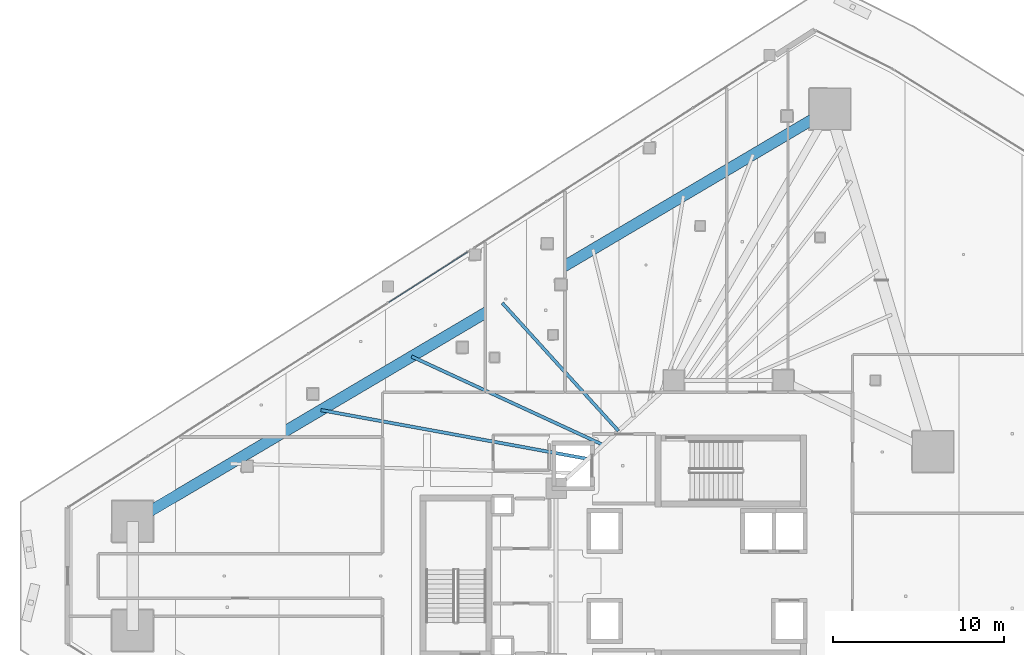
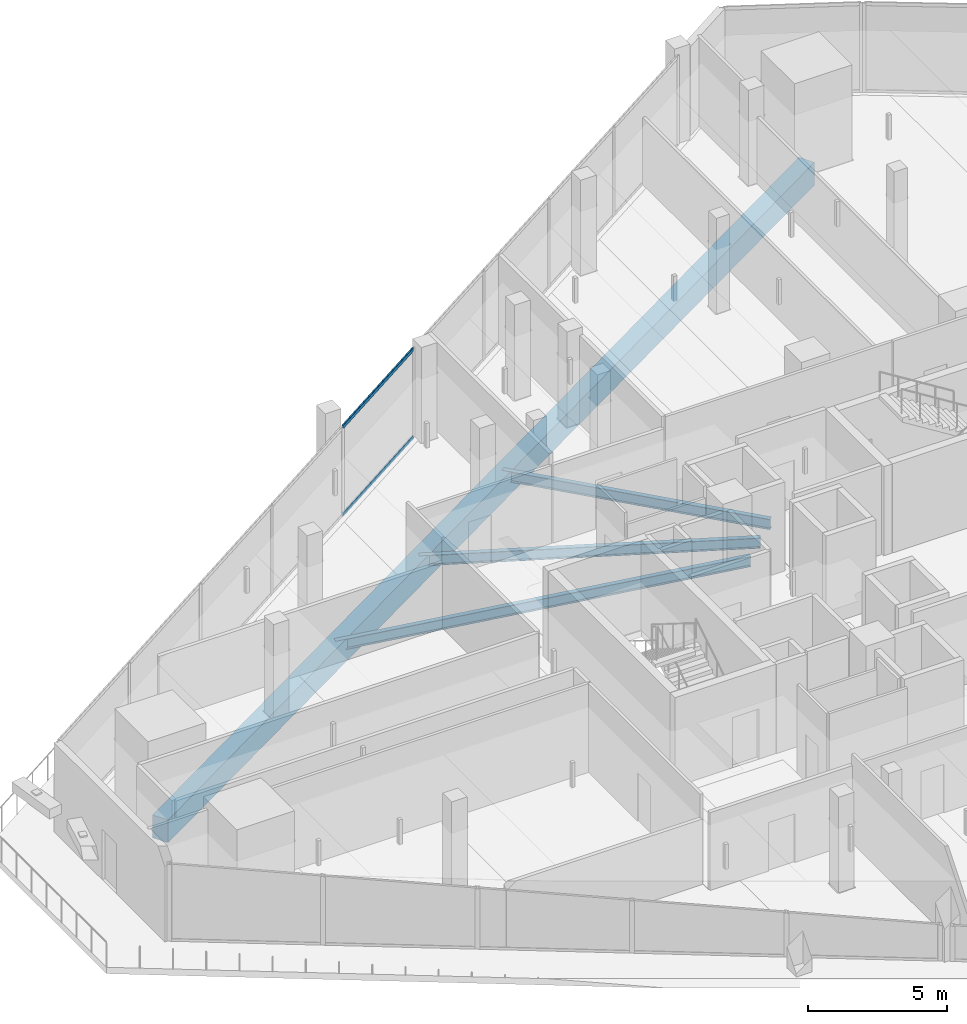
# One storey, part 17 of 46: 4 beams, 2 members, 1 element without a shape of its own.
"""IFC4 building model written with IfcOpenShell, lengths in metres."""

from ifc_helpers import new_model, si_unit, direction, frame, origin, origin_2d, place, context, subcontext, project, spatial, rectangle, hollow_rectangle, i_section, extrude, material, layer, layer_set, material_profile, profile_set, type_object, element, aggregate, save


model = new_model("IFC4")

# Units and contexts
model_context = context("Model", 3, precision=1e-05, world=origin(), true_north=direction((0.0, 1.0)))
body_context = subcontext(model_context, "Body", "Model", "MODEL_VIEW")
ifc_project = project(units=[si_unit("LENGTHUNIT", "METRE"), si_unit("AREAUNIT", "SQUARE_METRE"), si_unit("VOLUMEUNIT", "CUBIC_METRE"), si_unit("PLANEANGLEUNIT", "RADIAN"), si_unit("MASSUNIT", "GRAM", prefix="KILO")], contexts=[model_context])

# Site, building, storey
site_placement = place(None, origin())
site = spatial("IfcSite", under=ifc_project, at=site_placement, CompositionType="ELEMENT")
building_placement = place(site_placement, origin())
building = spatial("IfcBuilding", under=site, at=building_placement, Name="Qorvath Tower", CompositionType="ELEMENT")
storey_placement = place(building_placement, frame((0.0, 0.0, 87.0)))
storey = spatial("IfcBuildingStorey", under=building, at=storey_placement, Name="L19", CompositionType="ELEMENT", Elevation=87.0)

# Beams
ifc_material_1 = material(Name="Steel ASTM A992 Grade 50", Category="steel")
ifc_material_profile_1 = material_profile(ifc_material_1, i_section(OverallWidth=0.18994140625, OverallDepth=0.45703125, WebThickness=0.009033203125, FlangeThickness=0.014404296875, FilletRadius=0.011962890625, at=origin_2d()), Name="W18x50")
ifc_profile_set_1 = profile_set([ifc_material_profile_1], Name="Steel ASTM A992 Grade 50")
beam_type_1 = type_object("IfcBeamType", Name="BM-FJ2", PredefinedType="JOIST", material=ifc_profile_set_1)
beam_1_placement = place(storey_placement, frame((-28.636962890625, 6.85107421875, -0.508544921875), z_axis=(-0.983656498786, 0.180055248176, 0.0), x_axis=(-0.180055248176, -0.983656498786, 0.0)))
element("IfcBeam", 1, at=beam_1_placement, inside=storey, type_object=beam_type_1, Name="Composite Floor Joist NW2 L19", PredefinedType="JOIST", context=body_context, shape_type="SweptSolid", body=[
    extrude(i_section(OverallWidth=0.18994140625, OverallDepth=0.45703125, WebThickness=0.009033203125, FlangeThickness=0.014404296875, FilletRadius=0.011962890625, at=origin_2d()), origin(), (0.0, 0.0, 1.0), 15.884521484375),
])
beam_2_placement = place(storey_placement, frame((-27.739990234375, 7.669921875, -0.508544921875), z_axis=(-0.907881281747, 0.419227358665, 0.0), x_axis=(-0.419227358665, -0.907881281747, 0.0)))
element("IfcBeam", 2, at=beam_2_placement, inside=storey, type_object=beam_type_1, Name="Composite Floor Joist NW3 L19", PredefinedType="JOIST", context=body_context, shape_type="SweptSolid", body=[
    extrude(i_section(OverallWidth=0.18994140625, OverallDepth=0.45703125, WebThickness=0.009033203125, FlangeThickness=0.014404296875, FilletRadius=0.011962890625, at=origin_2d()), origin(), (0.0, 0.0, 1.0), 12.353515625),
])
beam_3_placement = place(storey_placement, frame((-26.843017578125, 8.489013671875, -0.508544921875), z_axis=(-0.672128980215, 0.740434084815, 0.0), x_axis=(-0.740434084815, -0.672128980215, 0.0)))
element("IfcBeam", 3, at=beam_3_placement, inside=storey, type_object=beam_type_1, Name="Composite Floor Joist NW4 L19", PredefinedType="JOIST", context=body_context, shape_type="SweptSolid", body=[
    extrude(i_section(OverallWidth=0.18994140625, OverallDepth=0.45703125, WebThickness=0.009033203125, FlangeThickness=0.014404296875, FilletRadius=0.011962890625, at=origin_2d()), origin(), (0.0, 0.0, 1.0), 10.1259765625),
])
ifc_material_2 = material(Name="Concrete C50/60", Category="concrete")
ifc_material_profile_2 = material_profile(ifc_material_2, rectangle(XDim=0.64990234375, YDim=1.0, at=origin_2d()), Name="RCB 1000x650")
ifc_profile_set_2 = profile_set([ifc_material_profile_2], Name="Concrete C50/60")
beam_type_2 = type_object("IfcBeamType", Name="BM-RCB1", PredefinedType="SPANDREL", material=ifc_profile_set_2)
beam_4_placement = place(storey_placement, frame((-14.46435546875, 27.330810546875, -0.780029296875), z_axis=(-0.860777360917, -0.508981664633, 0.0), x_axis=(0.508981664633, -0.860777360917, 0.0)))
element("IfcBeam", 4, at=beam_4_placement, inside=storey, type_object=beam_type_2, Name="Perimeter Loggia Frame Beam MC6-MC1 L19", PredefinedType="SPANDREL", context=body_context, shape_type="SweptSolid", body=[
    extrude(rectangle(XDim=0.64990234375, YDim=1.0, at=origin_2d()), origin(), (0.0, 0.0, 1.0), 47.420654296875),
])

# Curtain wall, members
ifc_material_3 = material(Name="Anodised aluminium and triple low-E glass", Category="aluminium")
ifc_layer = layer(ifc_material_3, 0.179931640625)
ifc_layer_set = layer_set([ifc_layer], Name="CW-SYS-2")
curtain_wall_type = type_object("IfcCurtainWallType", Name="CW-SYS-2", PredefinedType="NOTDEFINED", material=ifc_layer_set)
curtain_wall_placement = place(storey_placement, origin())
curtain_wall = element("IfcCurtainWall", 5, at=curtain_wall_placement, inside=storey, type_object=curtain_wall_type, Name="Curtain Wall CW-2 CW-T-L19-16.3", PredefinedType="NOTDEFINED")
ifc_material_4 = material(Name="Anodised aluminium 6063-T6", Category="aluminium")
ifc_material_profile_3 = material_profile(ifc_material_4, hollow_rectangle(XDim=0.06494140625, YDim=0.159912109375, WallThickness=0.00341796875, InnerFilletRadius=0.00341796875, OuterFilletRadius=0.007080078125, at=origin_2d()), Name="CWT 160x65")
ifc_profile_set_3 = profile_set([ifc_material_profile_3], Name="Anodised aluminium 6063-T6")
member_type = type_object("IfcMemberType", Name="CWT-160", PredefinedType="USERDEFINED", material=ifc_profile_set_3)
member_1_placement = place(storey_placement, frame((-35.67626953125, 18.961181640625, 0.032470703125), z_axis=(-0.842605755043, -0.538530910504, 0.0), x_axis=(0.538530910504, -0.842605755043, 0.0)))
member_1 = element("IfcMember", 6, at=member_1_placement, type_object=member_type, Name="CW-2 transom 1.1", ObjectType="TRANSOM", PredefinedType="USERDEFINED", context=body_context, shape_type="SweptSolid", body=[
    extrude(hollow_rectangle(XDim=0.06494140625, YDim=0.159912109375, WallThickness=0.00341796875, InnerFilletRadius=0.00341796875, OuterFilletRadius=0.007080078125, at=origin_2d()), origin(), (0.0, 0.0, 1.0), 5.47412109375),
])
member_2_placement = place(storey_placement, frame((-35.67626953125, 18.961181640625, 3.887451171875), z_axis=(-0.842605755043, -0.538530910504, 0.0), x_axis=(0.538530910504, -0.842605755043, 0.0)))
member_2 = element("IfcMember", 7, at=member_2_placement, type_object=member_type, Name="CW-2 transom 1.2", ObjectType="TRANSOM", PredefinedType="USERDEFINED", context=body_context, shape_type="SweptSolid", body=[
    extrude(hollow_rectangle(XDim=0.06494140625, YDim=0.159912109375, WallThickness=0.00341796875, InnerFilletRadius=0.00341796875, OuterFilletRadius=0.007080078125, at=origin_2d()), origin(), (0.0, 0.0, 1.0), 5.47412109375),
])
aggregate(curtain_wall, [member_1, member_2])

save(model, "model.ifc")
